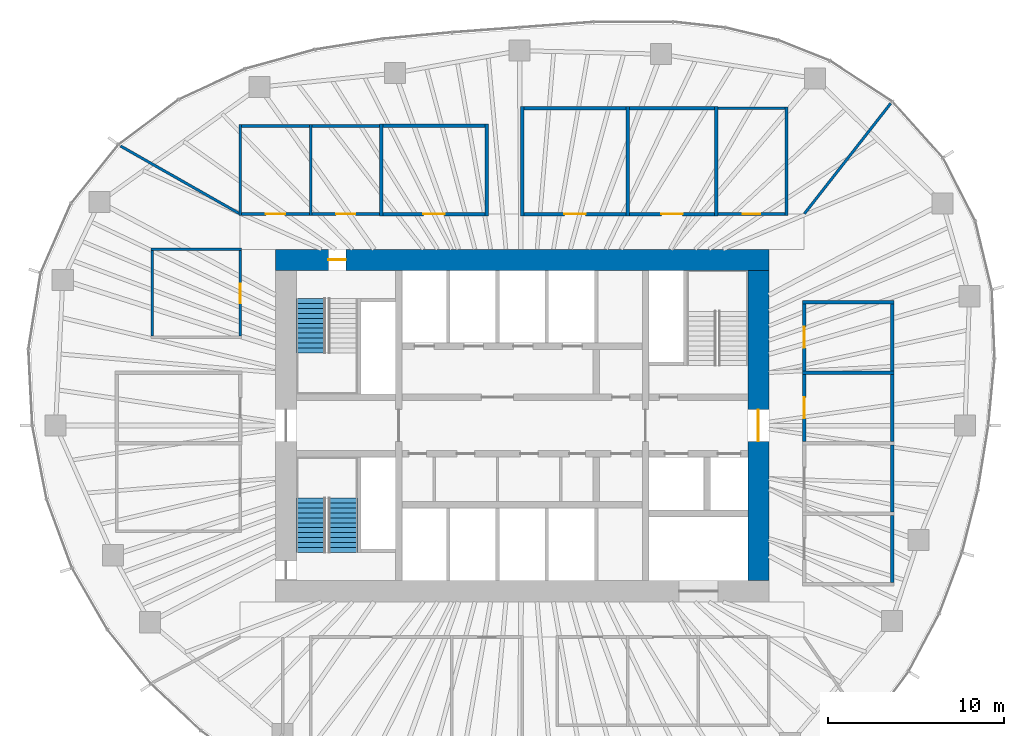
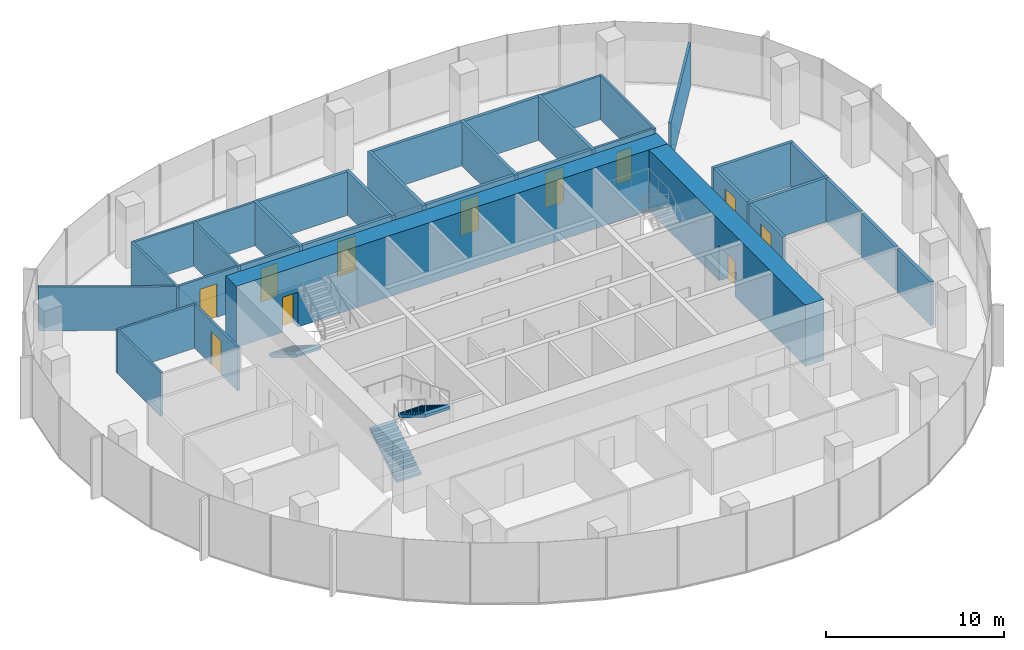
# One storey, part 10 of 12: 35 walls, 11 doors, 3 stair flights, 11 openings, 2 elements without a shape of their own.
"""IFC4 building model written with IfcOpenShell, lengths in metres."""

from ifc_helpers import new_model, si_unit, direction, frame, frame_2d, origin, place, context, subcontext, project, spatial, polyline, rectangle, outline, extrude, material, layer, layer_set, type_object, element, fill, aggregate, save


model = new_model("IFC4")

# Units and contexts
model_context = context("Model", 3, precision=1e-05, world=origin(), true_north=direction((0.0, 1.0)))
body_context = subcontext(model_context, "Body", "Model", "MODEL_VIEW")
ifc_project = project(units=[si_unit("LENGTHUNIT", "METRE"), si_unit("AREAUNIT", "SQUARE_METRE"), si_unit("VOLUMEUNIT", "CUBIC_METRE"), si_unit("PLANEANGLEUNIT", "RADIAN"), si_unit("MASSUNIT", "GRAM", prefix="KILO")], contexts=[model_context])

# Site, building, storey
site_placement = place(None, origin())
site = spatial("IfcSite", under=ifc_project, at=site_placement, CompositionType="ELEMENT")
building_placement = place(site_placement, origin())
building = spatial("IfcBuilding", under=site, at=building_placement, Name="Ghaith Harvest Tower", CompositionType="ELEMENT")
storey_placement = place(building_placement, frame((0.0, 0.0, 232.60009765625)))
storey = spatial("IfcBuildingStorey", under=building, at=storey_placement, Name="L51", CompositionType="ELEMENT", Elevation=232.60009765625)

# Walls
ifc_material_1 = material(Name="Twin-stud gypsum board, acoustic", Category="gypsum")
ifc_layer_1 = layer(ifc_material_1, 0.199951171875)
ifc_layer_set_1 = layer_set([ifc_layer_1], Name="ACOUSTIC PARTITION 200")
wall_type_1 = type_object("IfcWallType", Name="ACOUSTIC PARTITION 200", PredefinedType="PARTITIONING", material=ifc_layer_set_1)
for number, where, z_axis, x_axis, name in (
    (1, (-8.0, 11.89990234375, 0.0), (0.0, 0.0, 1.0), (0.0, 1.0, 0.0), "Partition L51 row N3 cross wall 3"),
    (2, (-2.0, 11.89990234375, 0.0), (0.0, 0.0, 1.0), (0.0, 1.0, 0.0), "Partition L51 row N3 cross wall 4"),
):
    element("IfcWall", number, at=place(storey_placement, frame(where, z_axis=z_axis, x_axis=x_axis)), inside=storey, type_object=wall_type_1, Name=name, PredefinedType="PARTITIONING", context=body_context, shape_type="SweptSolid", body=[
        extrude(rectangle(XDim=5.2001953125, YDim=0.199951171875, at=frame_2d((2.60009765625, 0.0))), origin(), (0.0, 0.0, 1.0), 3.0),
    ])

# Wall, opening, door
wall_1_placement = place(storey_placement, frame((-7.89990234375, 12.0, 0.0), z_axis=(0.0, 0.0, 1.0), x_axis=(1.0, 0.0, 0.0)))
wall_1 = element("IfcWall", 3, at=wall_1_placement, inside=storey, type_object=wall_type_1, Name="Partition L51-08", PredefinedType="PARTITIONING", context=body_context, shape_type="SweptSolid", body=[
    extrude(rectangle(XDim=5.7998046875, YDim=0.199951171875, at=frame_2d((2.89990234375, 0.0))), origin(), (0.0, 0.0, 1.0), 3.0),
])
opening_1_placement = place(wall_1_placement, frame((2.300048828125, 0.0, 0.0)))
opening_1 = element("IfcOpeningElement", 4, at=opening_1_placement, cuts=wall_1, Name="Opening 51-029", PredefinedType="OPENING", context=body_context, shape_type="SweptSolid", body=[
    extrude(rectangle(XDim=1.199951171875, YDim=2.39990234375, at=frame_2d((0.60009765625, 1.199951171875))), frame((0.0, 0.10986328125, 0.0), z_axis=(0.0, -1.0, 0.0), x_axis=(1.0, 0.0, 0.0)), (0.0, 0.0, 1.0), 0.219970703125),
])
ifc_material_2 = material(Name="Timber door", Category="wood")
door_type_1 = type_object("IfcDoorType", Name="D11 GLAZED 1200x2400", OperationType="SINGLE_SWING_LEFT", PredefinedType="DOOR", material=ifc_material_2)
door_1_placement = place(opening_1_placement, origin())
door_1 = element("IfcDoor", 5, at=door_1_placement, inside=storey, type_object=door_type_1, Name="Meeting room door", OperationType="SINGLE_SWING_LEFT", OverallHeight=2.39990234375, OverallWidth=1.199951171875, PredefinedType="DOOR", context=body_context, shape_type="SweptSolid", body=[
    extrude(rectangle(XDim=1.199951171875, YDim=2.39990234375, at=frame_2d((0.60009765625, 1.199951171875))), frame((0.0, 0.02490234375, 0.0), z_axis=(0.0, -1.0, 0.0), x_axis=(1.0, 0.0, 0.0)), (0.0, 0.0, 1.0), 0.050048828125),
])
fill(opening_1, door_1)

# Walls
wall_2_placement = place(storey_placement, frame((-7.89990234375, 17.0, 0.0), z_axis=(0.0, 0.0, 1.0), x_axis=(1.0, 0.0, 0.0)))
element("IfcWall", 6, at=wall_2_placement, inside=storey, type_object=wall_type_1, Name="Partition L51-08", PredefinedType="PARTITIONING", context=body_context, shape_type="SweptSolid", body=[
    extrude(rectangle(XDim=5.7998046875, YDim=0.199951171875, at=frame_2d((2.89990234375, 0.0))), origin(), (0.0, 0.0, 1.0), 3.0),
])
for number, where, z_axis, x_axis, name in (
    (7, (0.0, 11.89990234375, 0.0), (0.0, 0.0, 1.0), (0.0, 1.0, 0.0), "Partition L51 row N4 cross wall 1"),
    (8, (6.0, 11.89990234375, 0.0), (0.0, 0.0, 1.0), (0.0, 1.0, 0.0), "Partition L51 row N4 cross wall 2"),
    (9, (11.0, 11.89990234375, 0.0), (0.0, 0.0, 1.0), (0.0, 1.0, 0.0), "Partition L51 row N4 cross wall 3"),
):
    element("IfcWall", number, at=place(storey_placement, frame(where, z_axis=z_axis, x_axis=x_axis)), inside=storey, type_object=wall_type_1, Name=name, PredefinedType="PARTITIONING", context=body_context, shape_type="SweptSolid", body=[
        extrude(rectangle(XDim=6.2001953125, YDim=0.199951171875, at=frame_2d((3.10009765625, 0.0))), origin(), (0.0, 0.0, 1.0), 3.0),
    ])

# Wall, opening, door
wall_3_placement = place(storey_placement, frame((0.10009765625, 12.0, 0.0), z_axis=(0.0, 0.0, 1.0), x_axis=(1.0, 0.0, 0.0)))
wall_3 = element("IfcWall", 10, at=wall_3_placement, inside=storey, type_object=wall_type_1, Name="Partition L51-09", PredefinedType="PARTITIONING", context=body_context, shape_type="SweptSolid", body=[
    extrude(rectangle(XDim=5.7998046875, YDim=0.199951171875, at=frame_2d((2.89990234375, 0.0))), origin(), (0.0, 0.0, 1.0), 3.0),
])
opening_2_placement = place(wall_3_placement, frame((2.300048828125, 0.0, 0.0)))
opening_2 = element("IfcOpeningElement", 11, at=opening_2_placement, cuts=wall_3, Name="Opening 51-030", PredefinedType="OPENING", context=body_context, shape_type="SweptSolid", body=[
    extrude(rectangle(XDim=1.199951171875, YDim=2.39990234375, at=frame_2d((0.60009765625, 1.199951171875))), frame((0.0, 0.10986328125, 0.0), z_axis=(0.0, -1.0, 0.0), x_axis=(1.0, 0.0, 0.0)), (0.0, 0.0, 1.0), 0.219970703125),
])
door_2_placement = place(opening_2_placement, origin())
door_2 = element("IfcDoor", 12, at=door_2_placement, inside=storey, type_object=door_type_1, Name="Meeting room door", OperationType="SINGLE_SWING_LEFT", OverallHeight=2.39990234375, OverallWidth=1.199951171875, PredefinedType="DOOR", context=body_context, shape_type="SweptSolid", body=[
    extrude(rectangle(XDim=1.199951171875, YDim=2.39990234375, at=frame_2d((0.60009765625, 1.199951171875))), frame((0.0, 0.02490234375, 0.0), z_axis=(0.0, -1.0, 0.0), x_axis=(1.0, 0.0, 0.0)), (0.0, 0.0, 1.0), 0.050048828125),
])
fill(opening_2, door_2)

# Wall
wall_4_placement = place(storey_placement, frame((0.10009765625, 18.0, 0.0), z_axis=(0.0, 0.0, 1.0), x_axis=(1.0, 0.0, 0.0)))
element("IfcWall", 13, at=wall_4_placement, inside=storey, type_object=wall_type_1, Name="Partition L51-09", PredefinedType="PARTITIONING", context=body_context, shape_type="SweptSolid", body=[
    extrude(rectangle(XDim=5.7998046875, YDim=0.199951171875, at=frame_2d((2.89990234375, 0.0))), origin(), (0.0, 0.0, 1.0), 3.0),
])

# Wall, opening, door
wall_5_placement = place(storey_placement, frame((6.10009765625, 12.0, 0.0), z_axis=(0.0, 0.0, 1.0), x_axis=(1.0, 0.0, 0.0)))
wall_5 = element("IfcWall", 14, at=wall_5_placement, inside=storey, type_object=wall_type_1, Name="Partition L51-10", PredefinedType="PARTITIONING", context=body_context, shape_type="SweptSolid", body=[
    extrude(rectangle(XDim=4.7998046875, YDim=0.199951171875, at=frame_2d((2.39990234375, 0.0))), origin(), (0.0, 0.0, 1.0), 3.0),
])
opening_3_placement = place(wall_5_placement, frame((1.800048828125, 0.0, 0.0)))
opening_3 = element("IfcOpeningElement", 15, at=opening_3_placement, cuts=wall_5, Name="Opening 51-031", PredefinedType="OPENING", context=body_context, shape_type="SweptSolid", body=[
    extrude(rectangle(XDim=1.199951171875, YDim=2.39990234375, at=frame_2d((0.60009765625, 1.199951171875))), frame((0.0, 0.10986328125, 0.0), z_axis=(0.0, -1.0, 0.0), x_axis=(1.0, 0.0, 0.0)), (0.0, 0.0, 1.0), 0.219970703125),
])
door_3_placement = place(opening_3_placement, origin())
door_3 = element("IfcDoor", 16, at=door_3_placement, inside=storey, type_object=door_type_1, Name="Meeting room door", OperationType="SINGLE_SWING_LEFT", OverallHeight=2.39990234375, OverallWidth=1.199951171875, PredefinedType="DOOR", context=body_context, shape_type="SweptSolid", body=[
    extrude(rectangle(XDim=1.199951171875, YDim=2.39990234375, at=frame_2d((0.60009765625, 1.199951171875))), frame((0.0, 0.02490234375, 0.0), z_axis=(0.0, -1.0, 0.0), x_axis=(1.0, 0.0, 0.0)), (0.0, 0.0, 1.0), 0.050048828125),
])
fill(opening_3, door_3)

# Walls
wall_6_placement = place(storey_placement, frame((6.10009765625, 18.0, 0.0), z_axis=(0.0, 0.0, 1.0), x_axis=(1.0, 0.0, 0.0)))
element("IfcWall", 17, at=wall_6_placement, inside=storey, type_object=wall_type_1, Name="Partition L51-10", PredefinedType="PARTITIONING", context=body_context, shape_type="SweptSolid", body=[
    extrude(rectangle(XDim=4.7998046875, YDim=0.199951171875, at=frame_2d((2.39990234375, 0.0))), origin(), (0.0, 0.0, 1.0), 3.0),
])
for number, where, z_axis, x_axis, name in (
    (18, (15.89990234375, 3.0, 0.0), (0.0, 0.0, 1.0), (1.0, 0.0, 0.0), "Partition L51 row E5 cross wall 4"),
    (19, (15.89990234375, 7.0, 0.0), (0.0, 0.0, 1.0), (1.0, 0.0, 0.0), "Partition L51 row E5 cross wall 5"),
):
    element("IfcWall", number, at=place(storey_placement, frame(where, z_axis=z_axis, x_axis=x_axis)), inside=storey, type_object=wall_type_1, Name=name, PredefinedType="PARTITIONING", context=body_context, shape_type="SweptSolid", body=[
        extrude(rectangle(XDim=5.2001953125, YDim=0.199951171875, at=frame_2d((2.60009765625, 0.0))), origin(), (0.0, 0.0, 1.0), 3.0),
    ])
for number, where, z_axis, x_axis, name in (
    (20, (21.0, -8.89990234375, 0.0), (0.0, 0.0, 1.0), (0.0, 1.0, 0.0), "Partition L51-12"),
    (21, (21.0, -4.89990234375, 0.0), (0.0, 0.0, 1.0), (0.0, 1.0, 0.0), "Partition L51-13"),
):
    element("IfcWall", number, at=place(storey_placement, frame(where, z_axis=z_axis, x_axis=x_axis)), inside=storey, type_object=wall_type_1, Name=name, PredefinedType="PARTITIONING", context=body_context, shape_type="SweptSolid", body=[
        extrude(rectangle(XDim=3.7998046875, YDim=0.199951171875, at=frame_2d((1.89990234375, 0.0))), origin(), (0.0, 0.0, 1.0), 3.0),
    ])

# Wall, opening, door
wall_7_placement = place(storey_placement, frame((16.0, -0.89990234375, 0.0), z_axis=(0.0, 0.0, 1.0), x_axis=(0.0, 1.0, 0.0)))
wall_7 = element("IfcWall", 22, at=wall_7_placement, inside=storey, type_object=wall_type_1, Name="Partition L51-14", PredefinedType="PARTITIONING", context=body_context, shape_type="SweptSolid", body=[
    extrude(rectangle(XDim=3.7998046875, YDim=0.199951171875, at=frame_2d((1.89990234375, 0.0))), origin(), (0.0, 0.0, 1.0), 3.0),
])
opening_4_placement = place(wall_7_placement, frame((1.300048828125, 0.0, 0.0)))
opening_4 = element("IfcOpeningElement", 23, at=opening_4_placement, cuts=wall_7, Name="Opening 51-035", PredefinedType="OPENING", context=body_context, shape_type="SweptSolid", body=[
    extrude(rectangle(XDim=1.199951171875, YDim=2.39990234375, at=frame_2d((0.60009765625, 1.199951171875))), frame((0.0, 0.10986328125, 0.0), z_axis=(0.0, -1.0, 0.0), x_axis=(1.0, 0.0, 0.0)), (0.0, 0.0, 1.0), 0.219970703125),
])
door_4_placement = place(opening_4_placement, origin())
door_4 = element("IfcDoor", 24, at=door_4_placement, inside=storey, type_object=door_type_1, Name="Meeting room door", OperationType="SINGLE_SWING_LEFT", OverallHeight=2.39990234375, OverallWidth=1.199951171875, PredefinedType="DOOR", context=body_context, shape_type="SweptSolid", body=[
    extrude(rectangle(XDim=1.199951171875, YDim=2.39990234375, at=frame_2d((0.60009765625, 1.199951171875))), frame((0.0, 0.02490234375, 0.0), z_axis=(0.0, -1.0, 0.0), x_axis=(1.0, 0.0, 0.0)), (0.0, 0.0, 1.0), 0.050048828125),
])
fill(opening_4, door_4)

# Wall
wall_8_placement = place(storey_placement, frame((21.0, -0.89990234375, 0.0), z_axis=(0.0, 0.0, 1.0), x_axis=(0.0, 1.0, 0.0)))
element("IfcWall", 25, at=wall_8_placement, inside=storey, type_object=wall_type_1, Name="Partition L51-14", PredefinedType="PARTITIONING", context=body_context, shape_type="SweptSolid", body=[
    extrude(rectangle(XDim=3.7998046875, YDim=0.199951171875, at=frame_2d((1.89990234375, 0.0))), origin(), (0.0, 0.0, 1.0), 3.0),
])

# Wall, opening, door
wall_9_placement = place(storey_placement, frame((16.0, 3.10009765625, 0.0), z_axis=(0.0, 0.0, 1.0), x_axis=(0.0, 1.0, 0.0)))
wall_9 = element("IfcWall", 26, at=wall_9_placement, inside=storey, type_object=wall_type_1, Name="Partition L51-15", PredefinedType="PARTITIONING", context=body_context, shape_type="SweptSolid", body=[
    extrude(rectangle(XDim=3.7998046875, YDim=0.199951171875, at=frame_2d((1.89990234375, 0.0))), origin(), (0.0, 0.0, 1.0), 3.0),
])
opening_5_placement = place(wall_9_placement, frame((1.300048828125, 0.0, 0.0)))
opening_5 = element("IfcOpeningElement", 27, at=opening_5_placement, cuts=wall_9, Name="Opening 51-036", PredefinedType="OPENING", context=body_context, shape_type="SweptSolid", body=[
    extrude(rectangle(XDim=1.199951171875, YDim=2.39990234375, at=frame_2d((0.60009765625, 1.199951171875))), frame((0.0, 0.10986328125, 0.0), z_axis=(0.0, -1.0, 0.0), x_axis=(1.0, 0.0, 0.0)), (0.0, 0.0, 1.0), 0.219970703125),
])
door_5_placement = place(opening_5_placement, origin())
door_5 = element("IfcDoor", 28, at=door_5_placement, inside=storey, type_object=door_type_1, Name="Meeting room door", OperationType="SINGLE_SWING_LEFT", OverallHeight=2.39990234375, OverallWidth=1.199951171875, PredefinedType="DOOR", context=body_context, shape_type="SweptSolid", body=[
    extrude(rectangle(XDim=1.199951171875, YDim=2.39990234375, at=frame_2d((0.60009765625, 1.199951171875))), frame((0.0, 0.02490234375, 0.0), z_axis=(0.0, -1.0, 0.0), x_axis=(1.0, 0.0, 0.0)), (0.0, 0.0, 1.0), 0.050048828125),
])
fill(opening_5, door_5)

# Wall
wall_10_placement = place(storey_placement, frame((21.0, 3.10009765625, 0.0), z_axis=(0.0, 0.0, 1.0), x_axis=(0.0, 1.0, 0.0)))
element("IfcWall", 29, at=wall_10_placement, inside=storey, type_object=wall_type_1, Name="Partition L51-15", PredefinedType="PARTITIONING", context=body_context, shape_type="SweptSolid", body=[
    extrude(rectangle(XDim=3.7998046875, YDim=0.199951171875, at=frame_2d((1.89990234375, 0.0))), origin(), (0.0, 0.0, 1.0), 3.0),
])

# Wall, opening, door
ifc_material_3 = material(Name="Concrete C60/75", Category="concrete")
ifc_layer_2 = layer(ifc_material_3, 1.199951171875)
ifc_layer_set_2 = layer_set([ifc_layer_2], Name="CORE WALL CW1200 C60")
wall_type_2 = type_object("IfcWallType", Name="CORE WALL CW1200 C60", PredefinedType="SHEAR", material=ifc_layer_set_2)
wall_11_placement = place(storey_placement, frame((14.0, 9.39990234375, 0.0), z_axis=(0.0, 0.0, 1.0), x_axis=(-1.0, 0.0, 0.0)))
wall_11 = element("IfcWall", 30, at=wall_11_placement, inside=storey, type_object=wall_type_2, Name="Core wall N L51", PredefinedType="SHEAR", context=body_context, shape_type="SweptSolid", body=[
    extrude(rectangle(XDim=28.0, YDim=1.199951171875, at=frame_2d((14.0, 0.0))), origin(), (0.0, 0.0, 1.0), 4.199951171875),
])
opening_6_placement = place(wall_11_placement, frame((24.0, 0.0, 0.0)))
opening_6 = element("IfcOpeningElement", 31, at=opening_6_placement, cuts=wall_11, Name="Opening 51-005", PredefinedType="OPENING", context=body_context, shape_type="SweptSolid", body=[
    extrude(rectangle(XDim=1.0, YDim=2.39990234375, at=frame_2d((0.5, 1.199951171875))), frame((0.0, 0.60986328125, 0.0), z_axis=(0.0, -1.0, 0.0), x_axis=(1.0, 0.0, 0.0)), (0.0, 0.0, 1.0), 1.219970703125),
])
ifc_material_4 = material(Name="Steel fire door", Category="steel")
door_type_2 = type_object("IfcDoorType", Name="D3 FD90 1000x2400", OperationType="SINGLE_SWING_LEFT", PredefinedType="DOOR", material=ifc_material_4)
door_6_placement = place(opening_6_placement, origin())
door_6 = element("IfcDoor", 32, at=door_6_placement, inside=storey, type_object=door_type_2, Name="Stair ST1 door", OperationType="SINGLE_SWING_RIGHT", OverallHeight=2.39990234375, OverallWidth=1.0, PredefinedType="DOOR", context=body_context, shape_type="SweptSolid", body=[
    extrude(rectangle(XDim=1.0, YDim=2.39990234375, at=frame_2d((0.5, 1.199951171875))), frame((0.0, 0.02490234375, 0.0), z_axis=(0.0, -1.0, 0.0), x_axis=(1.0, 0.0, 0.0)), (0.0, 0.0, 1.0), 0.050048828125),
])
fill(opening_6, door_6)

wall_12_placement = place(storey_placement, frame((13.39990234375, -8.800048828125, 0.0), z_axis=(0.0, 0.0, 1.0), x_axis=(0.0, 1.0, 0.0)))
wall_12 = element("IfcWall", 33, at=wall_12_placement, inside=storey, type_object=wall_type_2, Name="Core wall E L51", PredefinedType="SHEAR", context=body_context, shape_type="SweptSolid", body=[
    extrude(rectangle(XDim=17.60009765625, YDim=1.199951171875, at=frame_2d((8.800048828125, 0.0))), origin(), (0.0, 0.0, 1.0), 4.199951171875),
])
opening_7_placement = place(wall_12_placement, frame((7.89990234375, 0.0, 0.0)))
opening_7 = element("IfcOpeningElement", 34, at=opening_7_placement, cuts=wall_12, Name="Opening 51-002", PredefinedType="OPENING", context=body_context, shape_type="SweptSolid", body=[
    extrude(rectangle(XDim=1.800048828125, YDim=2.39990234375, at=frame_2d((0.89990234375, 1.199951171875))), frame((0.0, 0.60986328125, 0.0), z_axis=(0.0, -1.0, 0.0), x_axis=(1.0, 0.0, 0.0)), (0.0, 0.0, 1.0), 1.219970703125),
])
ifc_material_5 = material(Name="Steel fire door", Category="steel")
door_type_3 = type_object("IfcDoorType", Name="D4 FD90 PAIR 1800x2400", OperationType="DOUBLE_DOOR_SINGLE_SWING", PredefinedType="DOOR", material=ifc_material_5)
door_7_placement = place(opening_7_placement, origin())
door_7 = element("IfcDoor", 35, at=door_7_placement, inside=storey, type_object=door_type_3, Name="Fire-fighting lobby doors", OperationType="DOUBLE_DOOR_SINGLE_SWING", OverallHeight=2.39990234375, OverallWidth=1.800048828125, PredefinedType="DOOR", context=body_context, shape_type="SweptSolid", body=[
    extrude(rectangle(XDim=1.800048828125, YDim=2.39990234375, at=frame_2d((0.89990234375, 1.199951171875))), frame((0.0, 0.02490234375, 0.0), z_axis=(0.0, -1.0, 0.0), x_axis=(1.0, 0.0, 0.0)), (0.0, 0.0, 1.0), 0.050048828125),
])
fill(opening_7, door_7)

# Walls
ifc_material_6 = material(Name="Gypsum board on steel studs", Category="steel")
ifc_layer_3 = layer(ifc_material_6, 0.14990234375)
ifc_layer_set_3 = layer_set([ifc_layer_3], Name="PARTITION 150")
wall_type_3 = type_object("IfcWallType", Name="PARTITION 150", PredefinedType="PARTITIONING", material=ifc_layer_set_3)
for number, where, z_axis, x_axis, name in (
    (36, (-16.0, 11.925048828125, 0.0), (0.0, 0.0, 1.0), (0.0, 1.0, 0.0), "Partition L51 row N3 cross wall 1"),
    (37, (-12.0, 11.925048828125, 0.0), (0.0, 0.0, 1.0), (0.0, 1.0, 0.0), "Partition L51 row N3 cross wall 2"),
):
    element("IfcWall", number, at=place(storey_placement, frame(where, z_axis=z_axis, x_axis=x_axis)), inside=storey, type_object=wall_type_3, Name=name, PredefinedType="PARTITIONING", context=body_context, shape_type="SweptSolid", body=[
        extrude(rectangle(XDim=5.14990234375, YDim=0.14990234375, at=frame_2d((2.574951171875, 0.0))), origin(), (0.0, 0.0, 1.0), 3.0),
    ])

# Wall, opening, door
wall_13_placement = place(storey_placement, frame((-15.925048828125, 12.0, 0.0), z_axis=(0.0, 0.0, 1.0), x_axis=(1.0, 0.0, 0.0)))
wall_13 = element("IfcWall", 38, at=wall_13_placement, inside=storey, type_object=wall_type_3, Name="Partition L51-06", PredefinedType="PARTITIONING", context=body_context, shape_type="SweptSolid", body=[
    extrude(rectangle(XDim=3.85009765625, YDim=0.14990234375, at=frame_2d((1.925048828125, 0.0))), origin(), (0.0, 0.0, 1.0), 3.0),
])
opening_8_placement = place(wall_13_placement, frame((1.375, 0.0, 0.0)))
opening_8 = element("IfcOpeningElement", 39, at=opening_8_placement, cuts=wall_13, Name="Opening 51-027", PredefinedType="OPENING", context=body_context, shape_type="SweptSolid", body=[
    extrude(rectangle(XDim=1.10009765625, YDim=2.300048828125, at=frame_2d((0.550048828125, 1.14990234375))), frame((0.0, 0.0849609375, 0.0), z_axis=(0.0, -1.0, 0.0), x_axis=(1.0, 0.0, 0.0)), (0.0, 0.0, 1.0), 0.169921875),
])
ifc_material_7 = material(Name="Timber-framed glazed door", Category="wood")
door_type_4 = type_object("IfcDoorType", Name="D12 GLAZED OFFICE 1100x2300", OperationType="SINGLE_SWING_LEFT", PredefinedType="DOOR", material=ifc_material_7)
door_8_placement = place(opening_8_placement, origin())
door_8 = element("IfcDoor", 40, at=door_8_placement, inside=storey, type_object=door_type_4, Name="Office door", OperationType="SINGLE_SWING_LEFT", OverallHeight=2.300048828125, OverallWidth=1.10009765625, PredefinedType="DOOR", context=body_context, shape_type="SweptSolid", body=[
    extrude(rectangle(XDim=1.10009765625, YDim=2.300048828125, at=frame_2d((0.550048828125, 1.14990234375))), frame((0.0, 0.02490234375, 0.0), z_axis=(0.0, -1.0, 0.0), x_axis=(1.0, 0.0, 0.0)), (0.0, 0.0, 1.0), 0.050048828125),
])
fill(opening_8, door_8)

# Wall
wall_14_placement = place(storey_placement, frame((-15.925048828125, 17.0, 0.0), z_axis=(0.0, 0.0, 1.0), x_axis=(1.0, 0.0, 0.0)))
element("IfcWall", 41, at=wall_14_placement, inside=storey, type_object=wall_type_3, Name="Partition L51-06", PredefinedType="PARTITIONING", context=body_context, shape_type="SweptSolid", body=[
    extrude(rectangle(XDim=3.85009765625, YDim=0.14990234375, at=frame_2d((1.925048828125, 0.0))), origin(), (0.0, 0.0, 1.0), 3.0),
])

# Wall, opening, door
wall_15_placement = place(storey_placement, frame((-11.925048828125, 12.0, 0.0), z_axis=(0.0, 0.0, 1.0), x_axis=(1.0, 0.0, 0.0)))
wall_15 = element("IfcWall", 42, at=wall_15_placement, inside=storey, type_object=wall_type_3, Name="Partition L51-07", PredefinedType="PARTITIONING", context=body_context, shape_type="SweptSolid", body=[
    extrude(rectangle(XDim=3.824951171875, YDim=0.14990234375, at=frame_2d((1.91259765625, 0.0))), origin(), (0.0, 0.0, 1.0), 3.0),
])
opening_9_placement = place(wall_15_placement, frame((1.362548828125, 0.0, 0.0)))
opening_9 = element("IfcOpeningElement", 43, at=opening_9_placement, cuts=wall_15, Name="Opening 51-028", PredefinedType="OPENING", context=body_context, shape_type="SweptSolid", body=[
    extrude(rectangle(XDim=1.10009765625, YDim=2.300048828125, at=frame_2d((0.550048828125, 1.14990234375))), frame((0.0, 0.0849609375, 0.0), z_axis=(0.0, -1.0, 0.0), x_axis=(1.0, 0.0, 0.0)), (0.0, 0.0, 1.0), 0.169921875),
])
door_9_placement = place(opening_9_placement, origin())
door_9 = element("IfcDoor", 44, at=door_9_placement, inside=storey, type_object=door_type_4, Name="Office door", OperationType="SINGLE_SWING_LEFT", OverallHeight=2.300048828125, OverallWidth=1.10009765625, PredefinedType="DOOR", context=body_context, shape_type="SweptSolid", body=[
    extrude(rectangle(XDim=1.10009765625, YDim=2.300048828125, at=frame_2d((0.550048828125, 1.14990234375))), frame((0.0, 0.02490234375, 0.0), z_axis=(0.0, -1.0, 0.0), x_axis=(1.0, 0.0, 0.0)), (0.0, 0.0, 1.0), 0.050048828125),
])
fill(opening_9, door_9)

# Walls
wall_16_placement = place(storey_placement, frame((-11.925048828125, 17.0, 0.0), z_axis=(0.0, 0.0, 1.0), x_axis=(1.0, 0.0, 0.0)))
element("IfcWall", 45, at=wall_16_placement, inside=storey, type_object=wall_type_3, Name="Partition L51-07", PredefinedType="PARTITIONING", context=body_context, shape_type="SweptSolid", body=[
    extrude(rectangle(XDim=3.824951171875, YDim=0.14990234375, at=frame_2d((1.91259765625, 0.0))), origin(), (0.0, 0.0, 1.0), 3.0),
])
wall_17_placement = place(storey_placement, frame((15.0, 11.925048828125, 0.0), z_axis=(0.0, 0.0, 1.0), x_axis=(0.0, 1.0, 0.0)))
element("IfcWall", 46, at=wall_17_placement, inside=storey, type_object=wall_type_3, Name="Partition L51 row N4 cross wall 4", PredefinedType="PARTITIONING", context=body_context, shape_type="SweptSolid", body=[
    extrude(rectangle(XDim=6.14990234375, YDim=0.14990234375, at=frame_2d((3.074951171875, 0.0))), origin(), (0.0, 0.0, 1.0), 3.0),
])

# Wall, opening, door
wall_18_placement = place(storey_placement, frame((11.10009765625, 12.0, 0.0), z_axis=(0.0, 0.0, 1.0), x_axis=(1.0, 0.0, 0.0)))
wall_18 = element("IfcWall", 47, at=wall_18_placement, inside=storey, type_object=wall_type_3, Name="Partition L51-11", PredefinedType="PARTITIONING", context=body_context, shape_type="SweptSolid", body=[
    extrude(rectangle(XDim=3.824951171875, YDim=0.14990234375, at=frame_2d((1.91259765625, 0.0))), origin(), (0.0, 0.0, 1.0), 3.0),
])
opening_10_placement = place(wall_18_placement, frame((1.41259765625, 0.0, 0.0)))
opening_10 = element("IfcOpeningElement", 48, at=opening_10_placement, cuts=wall_18, Name="Opening 51-032", PredefinedType="OPENING", context=body_context, shape_type="SweptSolid", body=[
    extrude(rectangle(XDim=1.0, YDim=2.199951171875, at=frame_2d((0.5, 1.10009765625))), frame((0.0, 0.0849609375, 0.0), z_axis=(0.0, -1.0, 0.0), x_axis=(1.0, 0.0, 0.0)), (0.0, 0.0, 1.0), 0.169921875),
])
ifc_material_8 = material(Name="Timber door", Category="wood")
door_type_5 = type_object("IfcDoorType", Name="D1 SINGLE 1000x2200", OperationType="SINGLE_SWING_LEFT", PredefinedType="DOOR", material=ifc_material_8)
door_10_placement = place(opening_10_placement, origin())
door_10 = element("IfcDoor", 49, at=door_10_placement, inside=storey, type_object=door_type_5, Name="Pantry door", OperationType="SINGLE_SWING_LEFT", OverallHeight=2.199951171875, OverallWidth=1.0, PredefinedType="DOOR", context=body_context, shape_type="SweptSolid", body=[
    extrude(rectangle(XDim=1.0, YDim=2.199951171875, at=frame_2d((0.5, 1.10009765625))), frame((0.0, 0.02490234375, 0.0), z_axis=(0.0, -1.0, 0.0), x_axis=(1.0, 0.0, 0.0)), (0.0, 0.0, 1.0), 0.050048828125),
])
fill(opening_10, door_10)

# Walls
wall_19_placement = place(storey_placement, frame((11.10009765625, 18.0, 0.0), z_axis=(0.0, 0.0, 1.0), x_axis=(1.0, 0.0, 0.0)))
element("IfcWall", 50, at=wall_19_placement, inside=storey, type_object=wall_type_3, Name="Partition L51-11", PredefinedType="PARTITIONING", context=body_context, shape_type="SweptSolid", body=[
    extrude(rectangle(XDim=3.824951171875, YDim=0.14990234375, at=frame_2d((1.91259765625, 0.0))), origin(), (0.0, 0.0, 1.0), 3.0),
])
wall_20_placement = place(storey_placement, frame((-15.925048828125, 10.0, 0.0), z_axis=(0.0, 0.0, 1.0), x_axis=(-1.0, 0.0, 0.0)))
element("IfcWall", 51, at=wall_20_placement, inside=storey, type_object=wall_type_3, Name="Partition L51 row W7 cross wall 2", PredefinedType="PARTITIONING", context=body_context, shape_type="SweptSolid", body=[
    extrude(rectangle(XDim=5.14990234375, YDim=0.14990234375, at=frame_2d((2.574951171875, 0.0))), origin(), (0.0, 0.0, 1.0), 3.0),
])

# Wall, opening, door
wall_21_placement = place(storey_placement, frame((-16.0, 5.074951171875, 0.0), z_axis=(0.0, 0.0, 1.0), x_axis=(0.0, 1.0, 0.0)))
wall_21 = element("IfcWall", 52, at=wall_21_placement, inside=storey, type_object=wall_type_3, Name="Partition L51-18", PredefinedType="PARTITIONING", context=body_context, shape_type="SweptSolid", body=[
    extrude(rectangle(XDim=4.85009765625, YDim=0.14990234375, at=frame_2d((2.425048828125, 0.0))), origin(), (0.0, 0.0, 1.0), 3.0),
])
opening_11_placement = place(wall_21_placement, frame((1.875, 0.0, 0.0)))
opening_11 = element("IfcOpeningElement", 53, at=opening_11_placement, cuts=wall_21, Name="Opening 51-039", PredefinedType="OPENING", context=body_context, shape_type="SweptSolid", body=[
    extrude(rectangle(XDim=1.10009765625, YDim=2.300048828125, at=frame_2d((0.550048828125, 1.14990234375))), frame((0.0, 0.0849609375, 0.0), z_axis=(0.0, -1.0, 0.0), x_axis=(1.0, 0.0, 0.0)), (0.0, 0.0, 1.0), 0.169921875),
])
door_11_placement = place(opening_11_placement, origin())
door_11 = element("IfcDoor", 54, at=door_11_placement, inside=storey, type_object=door_type_4, Name="Office door", OperationType="SINGLE_SWING_LEFT", OverallHeight=2.300048828125, OverallWidth=1.10009765625, PredefinedType="DOOR", context=body_context, shape_type="SweptSolid", body=[
    extrude(rectangle(XDim=1.10009765625, YDim=2.300048828125, at=frame_2d((0.550048828125, 1.14990234375))), frame((0.0, 0.02490234375, 0.0), z_axis=(0.0, -1.0, 0.0), x_axis=(1.0, 0.0, 0.0)), (0.0, 0.0, 1.0), 0.050048828125),
])
fill(opening_11, door_11)

# Walls
wall_22_placement = place(storey_placement, frame((-21.0, 5.074951171875, 0.0), z_axis=(0.0, 0.0, 1.0), x_axis=(0.0, 1.0, 0.0)))
element("IfcWall", 55, at=wall_22_placement, inside=storey, type_object=wall_type_3, Name="Partition L51-18", PredefinedType="PARTITIONING", context=body_context, shape_type="SweptSolid", body=[
    extrude(rectangle(XDim=4.85009765625, YDim=0.14990234375, at=frame_2d((2.425048828125, 0.0))), origin(), (0.0, 0.0, 1.0), 3.0),
])
wall_23_placement = place(storey_placement, frame((-16.02001953125, 12.011474609375, 0.0), z_axis=(0.0, 0.0, 1.0), x_axis=(-0.869354026591, 0.494189818238, 0.0)))
element("IfcWall", 56, at=wall_23_placement, inside=storey, type_object=wall_type_3, Name="Partition L51 zone division", PredefinedType="PARTITIONING", context=body_context, shape_type="SweptSolid", body=[
    extrude(rectangle(XDim=7.788330078125, YDim=0.14990234375, at=frame_2d((3.89404296875, 0.0))), origin(), (0.0, 0.0, 1.0), 3.0),
])
wall_24_placement = place(storey_placement, frame((16.01220703125, 12.015625, 0.0), z_axis=(0.0, 0.0, 1.0), x_axis=(0.616030058222, 0.787722646219, 0.0)))
element("IfcWall", 57, at=wall_24_placement, inside=storey, type_object=wall_type_3, Name="Partition L51 zone division", PredefinedType="PARTITIONING", context=body_context, shape_type="SweptSolid", body=[
    extrude(rectangle(XDim=7.95166015625, YDim=0.14990234375, at=frame_2d((3.975830078125, 0.0))), origin(), (0.0, 0.0, 1.0), 3.0),
])

# Stair, stair flight
ifc_material_9 = material(Name="Concrete C40/50, precast", Category="concrete")
stair_type = type_object("IfcStairType", Name="CORE STAIR 24R", PredefinedType="HALF_TURN_STAIR", material=ifc_material_9)
stair_1_placement = place(storey_placement, origin())
stair_1 = element("IfcStair", 58, at=stair_1_placement, inside=storey, type_object=stair_type, Name="Stair ST1 L51", PredefinedType="HALF_TURN_STAIR")
ifc_material_10 = material(Name="Concrete C40/50, precast", Category="concrete")
stair_flight_type = type_object("IfcStairFlightType", Name="CORE FLIGHT 12R 1600", PredefinedType="STRAIGHT", material=ifc_material_10)
stair_flight_1_placement = place(storey_placement, frame((-12.0, 7.199951171875, 0.0), z_axis=(0.0, 0.0, 1.0), x_axis=(0.0, -1.0, 0.0)))
stair_flight_1 = element("IfcStairFlight", 59, at=stair_flight_1_placement, type_object=stair_flight_type, Name="ST1 flight 1", NumberOfRisers=12, NumberOfTreads=11, PredefinedType="STRAIGHT", RiserHeight=0.175, TreadLength=0.28, context=body_context, shape_type="SweptSolid", body=[
    extrude(outline(polyline([(0.0, 0.0), (0.0, 0.175048828125), (0.280029296875, 0.175048828125), (0.280029296875, 0.35009765625), (0.56005859375, 0.35009765625), (0.56005859375, 0.52490234375), (0.840087890625, 0.52490234375), (0.840087890625, 0.699951171875), (1.1201171875, 0.699951171875), (1.1201171875, 0.875), (1.39990234375, 0.875), (1.39990234375, 1.050048828125), (1.679931640625, 1.050048828125), (1.679931640625, 1.22509765625), (1.9599609375, 1.22509765625), (1.9599609375, 1.39990234375), (2.239990234375, 1.39990234375), (2.239990234375, 1.574951171875), (2.52001953125, 1.574951171875), (2.52001953125, 1.75), (2.800048828125, 1.75), (2.800048828125, 1.925048828125), (3.080078125, 1.925048828125), (3.080078125, 2.10009765625), (3.080078125, 1.748291015625), (0.28271484375, 0.0), (0.0, 0.0)])), frame((0.0, 0.800048828125, 0.0), z_axis=(0.0, -1.0, 0.0), x_axis=(1.0, 0.0, 0.0)), (0.0, 0.0, 1.0), 1.60009765625),
])
aggregate(stair_1, [stair_flight_1])

# Stair, stair flights
stair_2_placement = place(storey_placement, origin())
stair_2 = element("IfcStair", 60, at=stair_2_placement, inside=storey, type_object=stair_type, Name="Stair ST3 L51", PredefinedType="HALF_TURN_STAIR")
stair_flight_2_placement = place(storey_placement, frame((-12.0, -7.199951171875, 0.0), z_axis=(0.0, 0.0, 1.0), x_axis=(0.0, 1.0, 0.0)))
stair_flight_2 = element("IfcStairFlight", 61, at=stair_flight_2_placement, type_object=stair_flight_type, Name="ST3 flight 1", NumberOfRisers=12, NumberOfTreads=11, PredefinedType="STRAIGHT", RiserHeight=0.175, TreadLength=0.28, context=body_context, shape_type="SweptSolid", body=[
    extrude(outline(polyline([(0.0, 0.0), (0.0, 0.175048828125), (0.280029296875, 0.175048828125), (0.280029296875, 0.35009765625), (0.56005859375, 0.35009765625), (0.56005859375, 0.52490234375), (0.840087890625, 0.52490234375), (0.840087890625, 0.699951171875), (1.1201171875, 0.699951171875), (1.1201171875, 0.875), (1.39990234375, 0.875), (1.39990234375, 1.050048828125), (1.679931640625, 1.050048828125), (1.679931640625, 1.22509765625), (1.9599609375, 1.22509765625), (1.9599609375, 1.39990234375), (2.239990234375, 1.39990234375), (2.239990234375, 1.574951171875), (2.52001953125, 1.574951171875), (2.52001953125, 1.75), (2.800048828125, 1.75), (2.800048828125, 1.925048828125), (3.080078125, 1.925048828125), (3.080078125, 2.10009765625), (3.080078125, 1.748291015625), (0.28271484375, 0.0), (0.0, 0.0)])), frame((0.0, 0.800048828125, 0.0), z_axis=(0.0, -1.0, 0.0), x_axis=(1.0, 0.0, 0.0)), (0.0, 0.0, 1.0), 1.60009765625),
])
stair_flight_3_placement = place(storey_placement, frame((-10.14990234375, -4.1201171875, 2.099853515625), z_axis=(0.0, 0.0, 1.0), x_axis=(0.0, -1.0, 0.0)))
stair_flight_3 = element("IfcStairFlight", 62, at=stair_flight_3_placement, type_object=stair_flight_type, Name="ST3 flight 2", NumberOfRisers=12, NumberOfTreads=11, PredefinedType="STRAIGHT", RiserHeight=0.175, TreadLength=0.28, context=body_context, shape_type="SweptSolid", body=[
    extrude(outline(polyline([(0.0, 0.0), (0.0, 0.175048828125), (0.280029296875, 0.175048828125), (0.280029296875, 0.35009765625), (0.56005859375, 0.35009765625), (0.56005859375, 0.52490234375), (0.840087890625, 0.52490234375), (0.840087890625, 0.699951171875), (1.1201171875, 0.699951171875), (1.1201171875, 0.875), (1.39990234375, 0.875), (1.39990234375, 1.050048828125), (1.679931640625, 1.050048828125), (1.679931640625, 1.22509765625), (1.9599609375, 1.22509765625), (1.9599609375, 1.39990234375), (2.239990234375, 1.39990234375), (2.239990234375, 1.574951171875), (2.52001953125, 1.574951171875), (2.52001953125, 1.75), (2.800048828125, 1.75), (2.800048828125, 1.925048828125), (3.080078125, 1.925048828125), (3.080078125, 2.10009765625), (3.080078125, 1.748291015625), (0.28271484375, 0.0), (0.0, 0.0)])), frame((0.0, 0.800048828125, 0.0), z_axis=(0.0, -1.0, 0.0), x_axis=(1.0, 0.0, 0.0)), (0.0, 0.0, 1.0), 1.60009765625),
])
aggregate(stair_2, [stair_flight_2, stair_flight_3])

save(model, "model.ifc")
